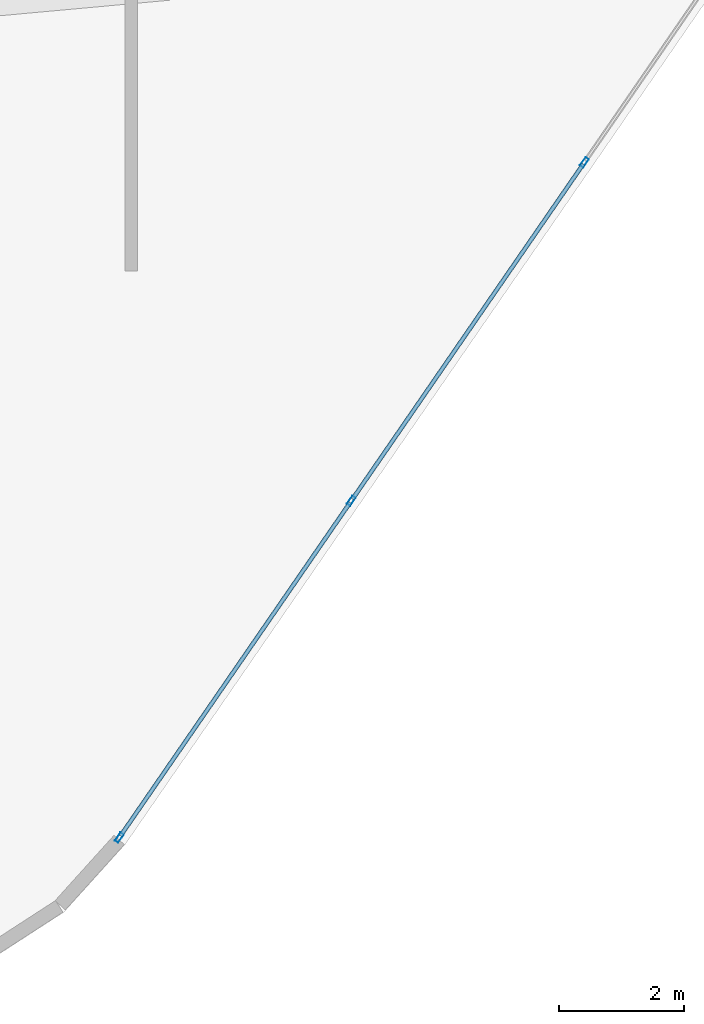
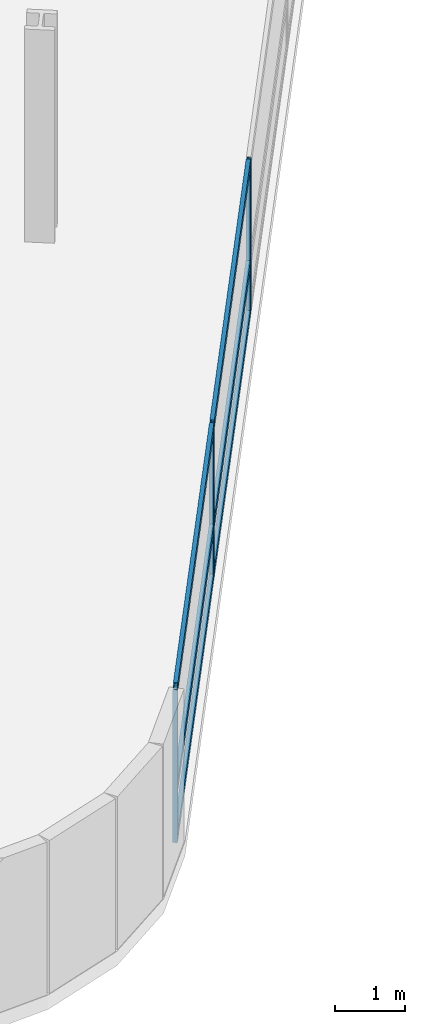
# One storey, part 6 of 24: 9 members, 1 element without a shape of its own.
"""IFC4 building model written with IfcOpenShell, lengths in metres."""

from ifc_helpers import new_model, si_unit, direction, frame, origin, origin_2d, place, context, subcontext, project, spatial, hollow_rectangle, extrude, material, layer, layer_set, material_profile, profile_set, type_object, element, aggregate, save


model = new_model("IFC4")

# Units and contexts
model_context = context("Model", 3, precision=1e-05, world=origin(), true_north=direction((0.0, 1.0)))
body_context = subcontext(model_context, "Body", "Model", "MODEL_VIEW")
ifc_project = project(units=[si_unit("LENGTHUNIT", "METRE"), si_unit("AREAUNIT", "SQUARE_METRE"), si_unit("VOLUMEUNIT", "CUBIC_METRE"), si_unit("PLANEANGLEUNIT", "RADIAN"), si_unit("MASSUNIT", "GRAM", prefix="KILO")], contexts=[model_context])

# Site, building, storey
site_placement = place(None, origin())
site = spatial("IfcSite", under=ifc_project, at=site_placement, CompositionType="ELEMENT")
building_placement = place(site_placement, origin())
building = spatial("IfcBuilding", under=site, at=building_placement, Name="Varnelok Gate Tower", CompositionType="ELEMENT")
storey_placement = place(building_placement, frame((0.0, 0.0, 67.699951171875)))
storey = spatial("IfcBuildingStorey", under=building, at=storey_placement, Name="L16", CompositionType="ELEMENT", Elevation=67.699951171875)

# Curtain wall, members
ifc_material = material(Name="Anodized Aluminum Alloy 6063-T6", Category="aluminium")
ifc_layer = layer(ifc_material, 0.179931640625)
ifc_layer_set = layer_set([ifc_layer], Name="Anodized Aluminum Alloy 6063-T6")
curtain_wall_type = type_object("IfcCurtainWallType", Name="CW3-HOTEL-VISION", PredefinedType="USERDEFINED", material=ifc_layer_set)
curtain_wall_placement = place(storey_placement, origin())
curtain_wall = element("IfcCurtainWall", 1, at=curtain_wall_placement, inside=storey, type_object=curtain_wall_type, Name="L16 East End Vision Curtain Wall", ObjectType="UNITISED CURTAIN WALL", PredefinedType="USERDEFINED")
ifc_material_profile_1 = material_profile(ifc_material, hollow_rectangle(XDim=0.06494140625, YDim=0.159912109375, WallThickness=0.00390625, at=origin_2d()), Name="ALU160X65X4")
ifc_profile_set_1 = profile_set([ifc_material_profile_1], Name="Anodized Aluminum Alloy 6063-T6")
member_type_1 = type_object("IfcMemberType", Name="CW-MULL-160", PredefinedType="MULLION", material=ifc_profile_set_1)
member_1_placement = place(storey_placement, frame((67.64208984375, -2.265380859375, 0.0), z_axis=(0.0, 0.0, 1.0), x_axis=(0.823532685111, -0.567268822124, 0.0)))
member_1 = element("IfcMember", 2, at=member_1_placement, type_object=member_type_1, Name="CW3 mullion 5", PredefinedType="MULLION", context=body_context, shape_type="SweptSolid", body=[
    extrude(hollow_rectangle(XDim=0.06494140625, YDim=0.159912109375, WallThickness=0.00390625, at=origin_2d()), origin(), (0.0, 0.0, 1.0), 2.66015625),
])
member_2_placement = place(storey_placement, frame((63.9169921875, -7.67333984375, 0.0), z_axis=(0.0, 0.0, 1.0), x_axis=(0.823532685111, -0.567268822124, 0.0)))
member_2 = element("IfcMember", 3, at=member_2_placement, type_object=member_type_1, Name="CW3 mullion 6", PredefinedType="MULLION", context=body_context, shape_type="SweptSolid", body=[
    extrude(hollow_rectangle(XDim=0.06494140625, YDim=0.159912109375, WallThickness=0.00390625, at=origin_2d()), origin(), (0.0, 0.0, 1.0), 2.66015625),
])
member_3_placement = place(storey_placement, frame((60.21044921875, -13.054443359375, 0.0), z_axis=(0.0, 0.0, 1.0), x_axis=(0.823532685111, -0.567268822124, 0.0)))
member_3 = element("IfcMember", 4, at=member_3_placement, type_object=member_type_1, Name="CW3 mullion 7", PredefinedType="MULLION", context=body_context, shape_type="SweptSolid", body=[
    extrude(hollow_rectangle(XDim=0.06494140625, YDim=0.159912109375, WallThickness=0.00390625, at=origin_2d()), origin(), (0.0, 0.0, 1.0), 2.66015625),
])
ifc_material_profile_2 = material_profile(ifc_material, hollow_rectangle(XDim=0.06494140625, YDim=0.159912109375, WallThickness=0.00390625, at=origin_2d()), Name="ALU160X65X4")
ifc_profile_set_2 = profile_set([ifc_material_profile_2], Name="Anodized Aluminum Alloy 6063-T6")
member_type_2 = type_object("IfcMemberType", Name="CW-TRAN-160", PredefinedType="USERDEFINED", material=ifc_profile_set_2)
member_4_placement = place(storey_placement, frame((67.623779296875, -2.292236328125, 0.032470703125), z_axis=(-0.567279204469, -0.823525533409, 0.0), x_axis=(0.823525533409, -0.567279204469, 0.0)))
member_4 = element("IfcMember", 5, at=member_4_placement, type_object=member_type_2, Name="CW3 transom 5.1", ObjectType="TRANSOM", PredefinedType="USERDEFINED", context=body_context, shape_type="SweptSolid", body=[
    extrude(hollow_rectangle(XDim=0.06494140625, YDim=0.159912109375, WallThickness=0.00390625, at=origin_2d()), origin(), (0.0, 0.0, 1.0), 6.501708984375),
])
member_5_placement = place(storey_placement, frame((67.623779296875, -2.292236328125, 0.900146484375), z_axis=(-0.567279204469, -0.823525533409, 0.0), x_axis=(0.823525533409, -0.567279204469, 0.0)))
member_5 = element("IfcMember", 6, at=member_5_placement, type_object=member_type_2, Name="CW3 transom 5.2", ObjectType="TRANSOM", PredefinedType="USERDEFINED", context=body_context, shape_type="SweptSolid", body=[
    extrude(hollow_rectangle(XDim=0.06494140625, YDim=0.159912109375, WallThickness=0.00390625, at=origin_2d()), origin(), (0.0, 0.0, 1.0), 6.501708984375),
])
member_6_placement = place(storey_placement, frame((67.623779296875, -2.292236328125, 2.62744140625), z_axis=(-0.567279204469, -0.823525533409, 0.0), x_axis=(0.823525533409, -0.567279204469, 0.0)))
member_6 = element("IfcMember", 7, at=member_6_placement, type_object=member_type_2, Name="CW3 transom 5.3", ObjectType="TRANSOM", PredefinedType="USERDEFINED", context=body_context, shape_type="SweptSolid", body=[
    extrude(hollow_rectangle(XDim=0.06494140625, YDim=0.159912109375, WallThickness=0.00390625, at=origin_2d()), origin(), (0.0, 0.0, 1.0), 6.501708984375),
])
member_7_placement = place(storey_placement, frame((63.898681640625, -7.699951171875, 0.032470703125), z_axis=(-0.567281349446, -0.823524055854, 0.0), x_axis=(0.823524055854, -0.567281349446, 0.0)))
member_7 = element("IfcMember", 8, at=member_7_placement, type_object=member_type_2, Name="CW3 transom 6.1", ObjectType="TRANSOM", PredefinedType="USERDEFINED", context=body_context, shape_type="SweptSolid", body=[
    extrude(hollow_rectangle(XDim=0.06494140625, YDim=0.159912109375, WallThickness=0.00390625, at=origin_2d()), origin(), (0.0, 0.0, 1.0), 6.46923828125),
])
member_8_placement = place(storey_placement, frame((63.898681640625, -7.699951171875, 0.900146484375), z_axis=(-0.567281349446, -0.823524055854, 0.0), x_axis=(0.823524055854, -0.567281349446, 0.0)))
member_8 = element("IfcMember", 9, at=member_8_placement, type_object=member_type_2, Name="CW3 transom 6.2", ObjectType="TRANSOM", PredefinedType="USERDEFINED", context=body_context, shape_type="SweptSolid", body=[
    extrude(hollow_rectangle(XDim=0.06494140625, YDim=0.159912109375, WallThickness=0.00390625, at=origin_2d()), origin(), (0.0, 0.0, 1.0), 6.46923828125),
])
member_9_placement = place(storey_placement, frame((63.898681640625, -7.699951171875, 2.62744140625), z_axis=(-0.567281349446, -0.823524055854, 0.0), x_axis=(0.823524055854, -0.567281349446, 0.0)))
member_9 = element("IfcMember", 10, at=member_9_placement, type_object=member_type_2, Name="CW3 transom 6.3", ObjectType="TRANSOM", PredefinedType="USERDEFINED", context=body_context, shape_type="SweptSolid", body=[
    extrude(hollow_rectangle(XDim=0.06494140625, YDim=0.159912109375, WallThickness=0.00390625, at=origin_2d()), origin(), (0.0, 0.0, 1.0), 6.46923828125),
])
aggregate(curtain_wall, [member_1, member_2, member_3, member_4, member_5, member_6, member_7, member_8, member_9])

save(model, "model.ifc")
